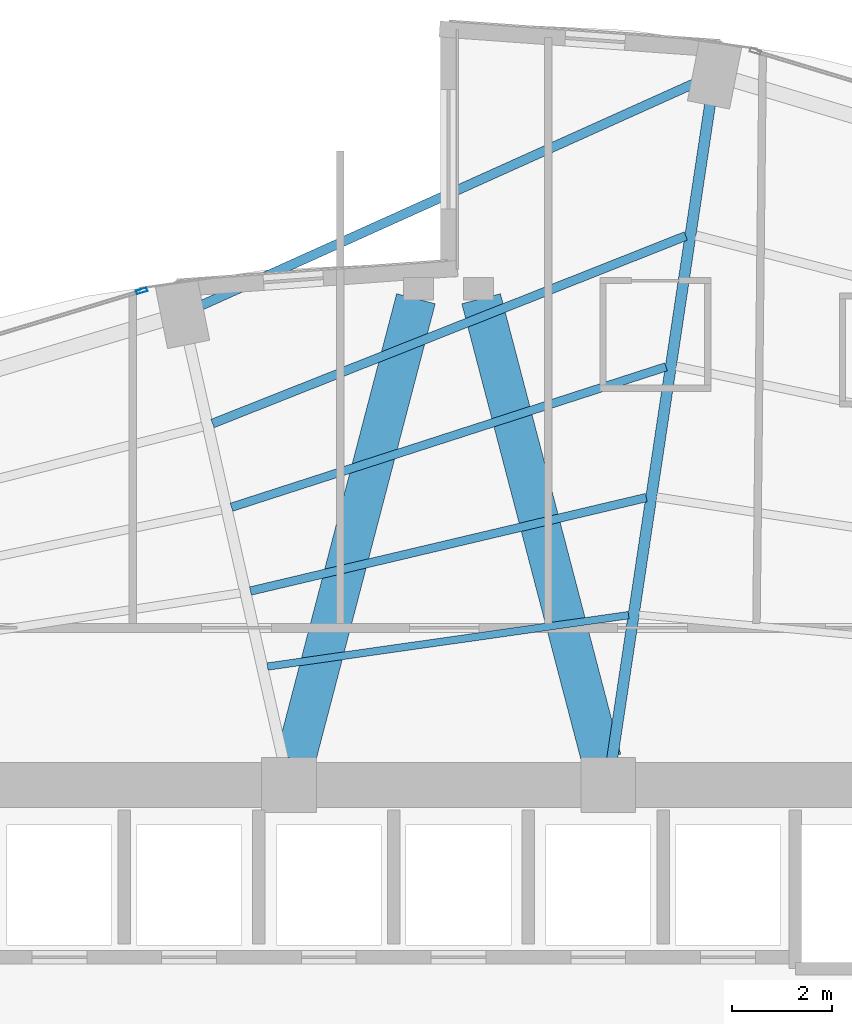
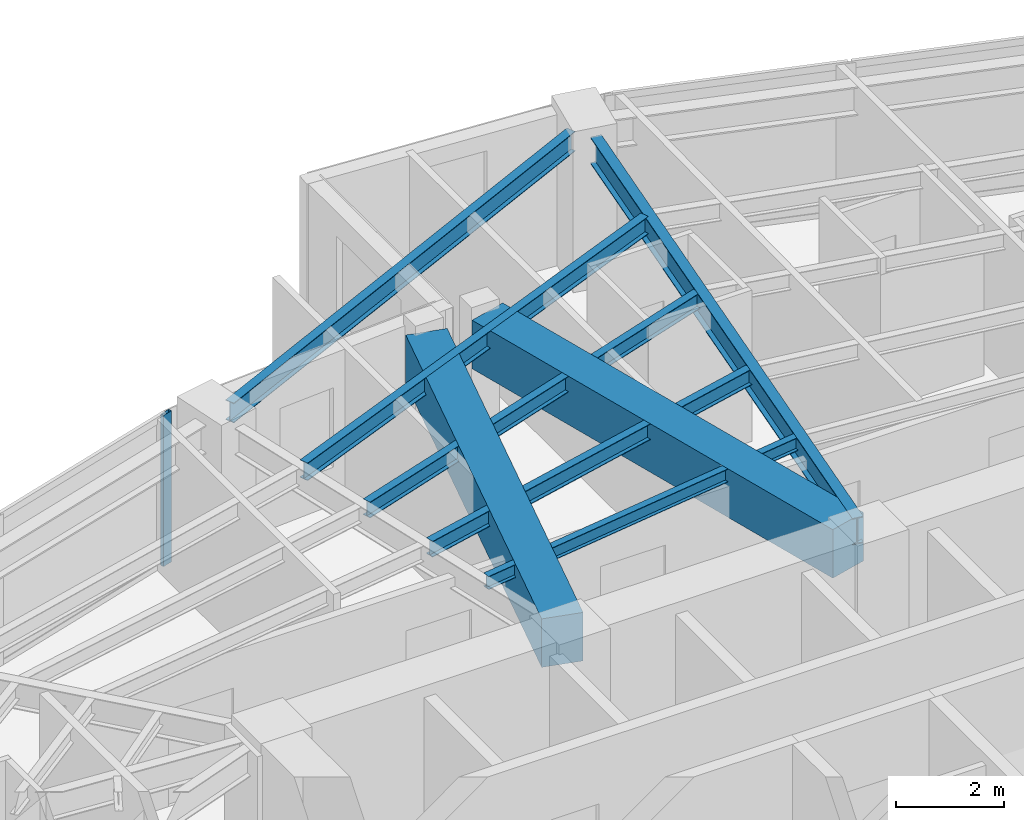
# One storey, part 15 of 25: 8 beams, 1 member, 1 element without a shape of its own.
"""IFC4 building model written with IfcOpenShell, lengths in metres."""

from ifc_helpers import new_model, si_unit, direction, frame, origin, origin_2d, place, context, subcontext, project, spatial, rectangle, hollow_rectangle, i_section, extrude, material, layer, layer_set, material_profile, profile_set, type_object, element, aggregate, save


model = new_model("IFC4")

# Units and contexts
model_context = context("Model", 3, precision=1e-05, world=origin(), true_north=direction((0.0, 1.0)))
body_context = subcontext(model_context, "Body", "Model", "MODEL_VIEW")
ifc_project = project(units=[si_unit("LENGTHUNIT", "METRE"), si_unit("AREAUNIT", "SQUARE_METRE"), si_unit("VOLUMEUNIT", "CUBIC_METRE"), si_unit("PLANEANGLEUNIT", "RADIAN"), si_unit("MASSUNIT", "GRAM", prefix="KILO")], contexts=[model_context])

# Site, building, storey
site_placement = place(None, origin())
site = spatial("IfcSite", under=ifc_project, at=site_placement, CompositionType="ELEMENT")
building_placement = place(site_placement, origin())
building = spatial("IfcBuilding", under=site, at=building_placement, Name="Lazwardi Medical Tower", CompositionType="ELEMENT")
storey_placement = place(building_placement, frame((0.0, 0.0, 32.49609375)))
storey = spatial("IfcBuildingStorey", under=building, at=storey_placement, Name="L07", CompositionType="ELEMENT", Elevation=32.49609375)

# Beams
ifc_material_1 = material(Name="Concrete C70/85", Category="concrete")
ifc_material_profile_1 = material_profile(ifc_material_1, rectangle(XDim=0.800048828125, YDim=1.10009765625, at=origin_2d()), Name="RC 800x1100")
ifc_profile_set_1 = profile_set([ifc_material_profile_1], Name="Concrete C70/85")
beam_type_1 = type_object("IfcBeamType", Name="BM-CB-RC1", PredefinedType="LINTEL", material=ifc_profile_set_1)
for number, where, z_axis, x_axis, name in (
    (1, (32.935302734375, 36.11767578125, 2.8779296875), (0.252819877511, 0.967513364009, 0.0), (-0.967513364009, 0.252819877511, 0.0), "Core coupling lintel CB-01 PL1 L07"),
    (2, (39.064697265625, 36.11767578125, 2.8779296875), (-0.252819877511, 0.967513364009, 0.0), (-0.967513364009, -0.252819877511, 0.0), "Core coupling lintel CB-01 PL2 L07"),
):
    element("IfcBeam", number, at=place(storey_placement, frame(where, z_axis=z_axis, x_axis=x_axis)), inside=storey, type_object=beam_type_1, Name=name, PredefinedType="LINTEL", context=body_context, shape_type="SweptSolid", body=[
        extrude(rectangle(XDim=0.800048828125, YDim=1.10009765625, at=origin_2d()), origin(), (0.0, 0.0, 1.0), 9.538818359375),
    ])
ifc_material_2 = material(Name="Steel S355", Category="steel")
ifc_material_profile_2 = material_profile(ifc_material_2, i_section(OverallWidth=0.219970703125, OverallDepth=0.60009765625, WebThickness=0.011962890625, FlangeThickness=0.01904296875, at=origin_2d()), Name="IPE 600")
ifc_profile_set_2 = profile_set([ifc_material_profile_2], Name="Steel S355")
beam_type_2 = type_object("IfcBeamType", Name="BM-RG-W1", PredefinedType="BEAM", material=ifc_profile_set_2)
beam_1_placement = place(storey_placement, frame((41.2451171875, 49.2705078125, 3.1279296875), z_axis=(-0.147944218183, -0.98899570692, 0.0), x_axis=(0.98899570692, -0.147944218183, 0.0)))
element("IfcBeam", 3, at=beam_1_placement, inside=storey, type_object=beam_type_2, Name="Radial girder RG-02 R08 L07", PredefinedType="BEAM", context=body_context, shape_type="SweptSolid", body=[
    extrude(i_section(OverallWidth=0.219970703125, OverallDepth=0.60009765625, WebThickness=0.011962890625, FlangeThickness=0.01904296875, at=origin_2d()), origin(), (0.0, 0.0, 1.0), 13.28759765625),
])
ifc_material_profile_3 = material_profile(ifc_material_2, i_section(OverallWidth=0.179931640625, OverallDepth=0.39990234375, WebThickness=0.008544921875, FlangeThickness=0.013427734375, at=origin_2d()), Name="IPE 400")
ifc_profile_set_3 = profile_set([ifc_material_profile_3], Name="Steel S355")
beam_type_3 = type_object("IfcBeamType", Name="BM-SJ-01", PredefinedType="JOIST", material=ifc_profile_set_3)
beam_2_placement = place(storey_placement, frame((40.754150390625, 46.603515625, 3.22802734375), z_axis=(-0.929663713752, -0.368409255222, 0.0), x_axis=(0.368409255222, -0.929663713752, 0.0)))
element("IfcBeam", 4, at=beam_2_placement, inside=storey, type_object=beam_type_3, Name="Secondary joist SJ-01 R1 B08 L07", PredefinedType="JOIST", context=body_context, shape_type="SweptSolid", body=[
    extrude(i_section(OverallWidth=0.179931640625, OverallDepth=0.39990234375, WebThickness=0.008544921875, FlangeThickness=0.013427734375, at=origin_2d()), origin(), (0.0, 0.0, 1.0), 10.2001953125),
])
ifc_material_profile_4 = material_profile(ifc_material_2, i_section(OverallWidth=0.169921875, OverallDepth=0.360107421875, WebThickness=0.008056640625, FlangeThickness=0.0126953125, at=origin_2d()), Name="IPE 360")
ifc_profile_set_4 = profile_set([ifc_material_profile_4], Name="Steel S355")
beam_type_4 = type_object("IfcBeamType", Name="BM-SJ-02", PredefinedType="JOIST", material=ifc_profile_set_4)
beam_3_placement = place(storey_placement, frame((40.35888671875, 43.981689453125, 3.247802734375), z_axis=(-0.951558895485, -0.307466532199, 0.0), x_axis=(0.307466532199, -0.951558895485, 0.0)))
element("IfcBeam", 5, at=beam_3_placement, inside=storey, type_object=beam_type_4, Name="Secondary joist SJ-02 R2 B08 L07", PredefinedType="JOIST", context=body_context, shape_type="SweptSolid", body=[
    extrude(i_section(OverallWidth=0.169921875, OverallDepth=0.360107421875, WebThickness=0.008056640625, FlangeThickness=0.0126953125, at=origin_2d()), origin(), (0.0, 0.0, 1.0), 9.1513671875),
])
beam_4_placement = place(storey_placement, frame((39.96337890625, 41.361572265625, 3.247802734375), z_axis=(-0.973240904247, -0.229787167397, 0.0), x_axis=(0.229787167397, -0.973240904247, 0.0)))
element("IfcBeam", 6, at=beam_4_placement, inside=storey, type_object=beam_type_4, Name="Secondary joist SJ-02 R3 B08 L07", PredefinedType="JOIST", context=body_context, shape_type="SweptSolid", body=[
    extrude(i_section(OverallWidth=0.169921875, OverallDepth=0.360107421875, WebThickness=0.008056640625, FlangeThickness=0.0126953125, at=origin_2d()), origin(), (0.0, 0.0, 1.0), 8.151123046875),
])
ifc_material_profile_5 = material_profile(ifc_material_2, i_section(OverallWidth=0.14990234375, OverallDepth=0.300048828125, WebThickness=0.007080078125, FlangeThickness=0.0107421875, at=origin_2d()), Name="IPE 300")
ifc_profile_set_5 = profile_set([ifc_material_profile_5], Name="Steel S355")
beam_type_5 = type_object("IfcBeamType", Name="BM-SJ-03", PredefinedType="JOIST", material=ifc_profile_set_5)
beam_5_placement = place(storey_placement, frame((39.607666015625, 39.00537109375, 3.27783203125), z_axis=(-0.99001552228, -0.140958382672, 0.0), x_axis=(0.140958382672, -0.99001552228, 0.0)))
element("IfcBeam", 7, at=beam_5_placement, inside=storey, type_object=beam_type_5, Name="Secondary joist SJ-03 R4 B08 L07", PredefinedType="JOIST", context=body_context, shape_type="SweptSolid", body=[
    extrude(i_section(OverallWidth=0.14990234375, OverallDepth=0.300048828125, WebThickness=0.007080078125, FlangeThickness=0.0107421875, at=origin_2d()), origin(), (0.0, 0.0, 1.0), 7.30908203125),
])
ifc_material_profile_6 = material_profile(ifc_material_2, i_section(OverallWidth=0.18994140625, OverallDepth=0.449951171875, WebThickness=0.009521484375, FlangeThickness=0.0146484375, at=origin_2d()), Name="IPE 450")
ifc_profile_set_6 = profile_set([ifc_material_profile_6], Name="Steel S355")
beam_type_6 = type_object("IfcBeamType", Name="BM-SP-01", PredefinedType="SPANDREL", material=ifc_profile_set_6)
beam_6_placement = place(storey_placement, frame((40.94775390625, 49.671630859375, 3.202880859375), z_axis=(-0.91184908894, -0.410525564368, 0.0), x_axis=(0.410525564368, -0.91184908894, 0.0)))
element("IfcBeam", 8, at=beam_6_placement, inside=storey, type_object=beam_type_6, Name="Spandrel beam SP-01 B08 L07", PredefinedType="SPANDREL", context=body_context, shape_type="SweptSolid", body=[
    extrude(i_section(OverallWidth=0.18994140625, OverallDepth=0.449951171875, WebThickness=0.009521484375, FlangeThickness=0.0146484375, at=origin_2d()), origin(), (0.0, 0.0, 1.0), 10.85205078125),
])

# Curtain wall, member
ifc_material_3 = material(Name="Anodised bronze aluminium and solar control glazing", Category="aluminium")
ifc_layer = layer(ifc_material_3, 0.199951171875)
ifc_layer_set = layer_set([ifc_layer], Name="Anodised bronze aluminium and solar control glazing")
curtain_wall_type = type_object("IfcCurtainWallType", Name="CW-SYS-02", PredefinedType="NOTDEFINED", material=ifc_layer_set)
curtain_wall_placement = place(storey_placement, origin())
curtain_wall = element("IfcCurtainWall", 9, at=curtain_wall_placement, inside=storey, type_object=curtain_wall_type, Name="L07 Unitised bronze curtain wall CW-02", PredefinedType="NOTDEFINED")
ifc_material_4 = material(Name="Anodised bronze aluminium", Category="aluminium")
ifc_material_profile_7 = material_profile(ifc_material_4, hollow_rectangle(XDim=0.074951171875, YDim=0.219970703125, WallThickness=0.00390625, at=origin_2d()), Name="ALU-MULLION 220x75x4")
ifc_profile_set_7 = profile_set([ifc_material_profile_7], Name="Anodised bronze aluminium")
member_type = type_object("IfcMemberType", Name="CW-MUL-01", PredefinedType="MULLION", material=ifc_profile_set_7)
member_placement = place(storey_placement, frame((29.85205078125, 45.503662109375, 0.0), z_axis=(0.0, 0.0, 1.0), x_axis=(0.2898956909, -0.957058247129, 0.0)))
member = element("IfcMember", 10, at=member_placement, type_object=member_type, Name="CW-02 mullion 1", PredefinedType="MULLION", context=body_context, shape_type="SweptSolid", body=[
    extrude(hollow_rectangle(XDim=0.074951171875, YDim=0.219970703125, WallThickness=0.00390625, at=origin_2d()), origin(), (0.0, 0.0, 1.0), 3.427978515625),
])
aggregate(curtain_wall, [member])

save(model, "model.ifc")
